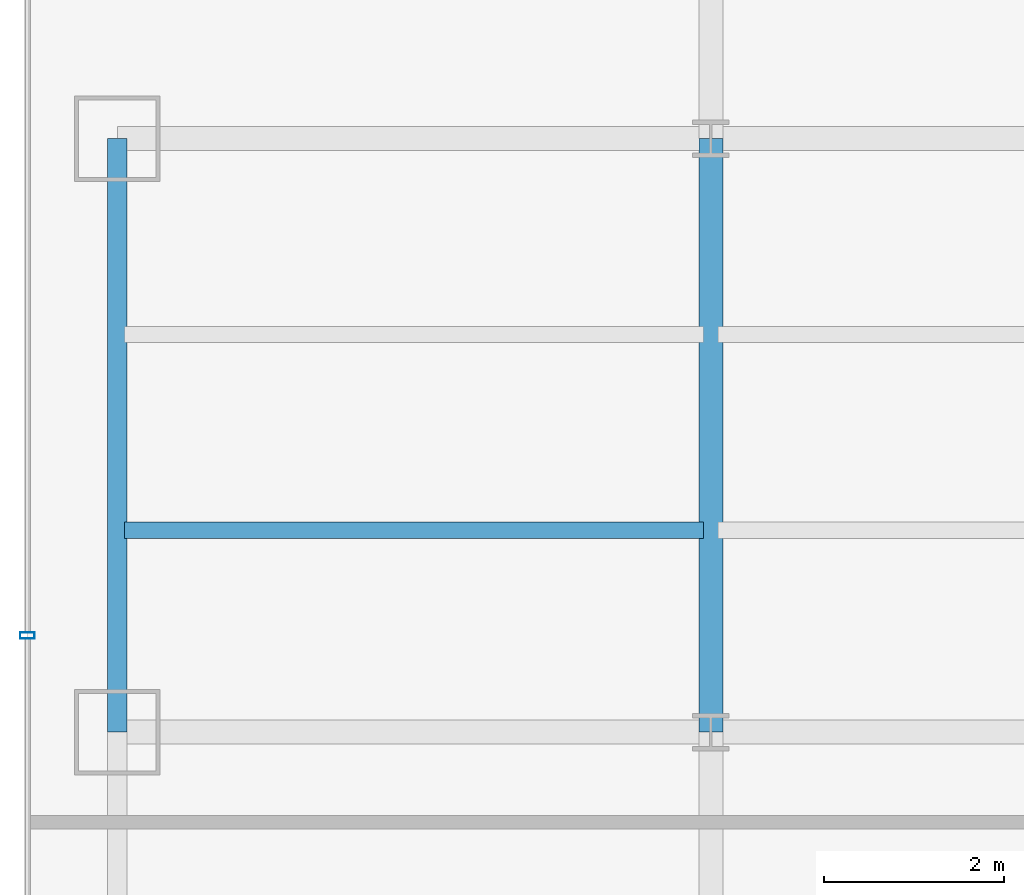
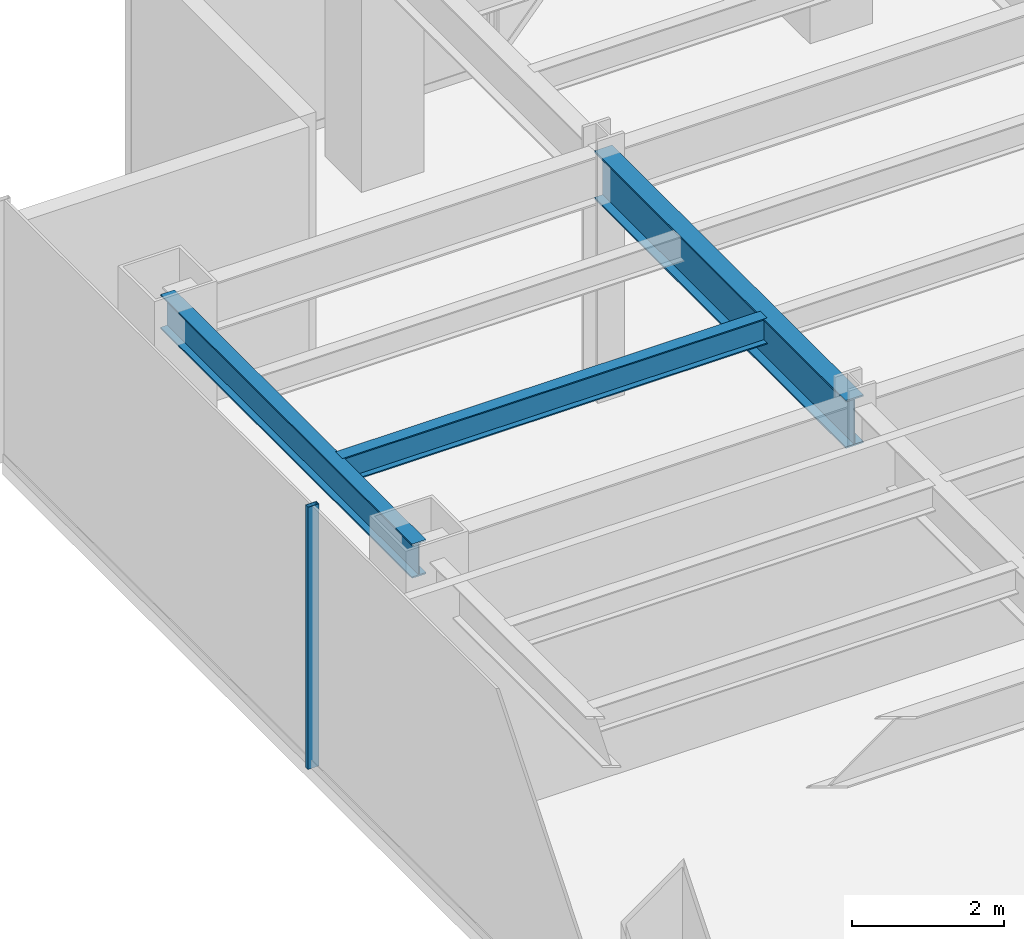
# One storey, part 6 of 35: 3 beams, 1 member, 1 element without a shape of its own.
"""IFC4 building model written with IfcOpenShell, lengths in metres."""

from ifc_helpers import new_model, si_unit, derived_unit, direction, frame, origin, origin_2d, place, context, subcontext, project, spatial, hollow_rectangle, i_section, extrude, source, transform, mapped, material, material_profile, profile_set, type_object, element, aggregate, save


model = new_model("IFC4")

# Units and contexts
model_context = context("Model", 3, precision=1e-05, world=origin(), true_north=direction((0.0, 1.0)))
body_context = subcontext(model_context, "Body", "Model", "MODEL_VIEW")
ifc_project = project(units=[si_unit("LENGTHUNIT", "METRE"), si_unit("AREAUNIT", "SQUARE_METRE"), si_unit("VOLUMEUNIT", "CUBIC_METRE"), si_unit("PLANEANGLEUNIT", "RADIAN"), si_unit("MASSUNIT", "GRAM", prefix="KILO"), derived_unit("THERMALTRANSMITTANCEUNIT", [(si_unit("POWERUNIT", "WATT"), 1), (si_unit("LENGTHUNIT", "METRE"), -2), (si_unit("THERMODYNAMICTEMPERATUREUNIT", "KELVIN"), -1)])], contexts=[model_context])

# Site, building, storey
site_placement = place(None, origin())
site = spatial("IfcSite", under=ifc_project, at=site_placement, CompositionType="ELEMENT")
building_placement = place(site_placement, origin())
building = spatial("IfcBuilding", under=site, at=building_placement, Name="Skarnbrae Concourse Arena and Tower", CompositionType="ELEMENT")
storey_placement = place(building_placement, frame((0.0, 0.0, 79.949951171875)))
storey = spatial("IfcBuildingStorey", under=building, at=storey_placement, Name="L19", CompositionType="ELEMENT", Elevation=79.949951171875)

# Beams
ifc_material_1 = material(Name="Steel CSA G40.21 350W", Category="steel")
ifc_material_profile_1 = material_profile(ifc_material_1, i_section(OverallWidth=0.214111328125, OverallDepth=0.549072265625, WebThickness=0.0146484375, FlangeThickness=0.023681640625, at=origin_2d()), Name="W530X138")
ifc_profile_set_1 = profile_set([ifc_material_profile_1], Name="Steel CSA G40.21 350W")
beam_type_1 = type_object("IfcBeamType", Name="BM-SPAN-W530X138", PredefinedType="SPANDREL", material=ifc_profile_set_1)
shared_shape_1 = source(origin(), body_context, "Body", "SweptSolid", [
    extrude(i_section(OverallWidth=0.214111328125, OverallDepth=0.549072265625, WebThickness=0.0146484375, FlangeThickness=0.023681640625, at=origin_2d()), origin(), (0.0, 0.0, 1.0), 6.599853515625),
])
beam_1_placement = place(storey_placement, frame((1.0, 27.800048828125, 3.62548828125), z_axis=(0.0, 1.0, 0.0), x_axis=(-1.0, 0.0, 0.0)))
element("IfcBeam", 1, at=beam_1_placement, inside=storey, type_object=beam_type_1, Name="L19 Perimeter spandrel X1.0-4", PredefinedType="SPANDREL", context=body_context, shape_type="MappedRepresentation", body=[
    mapped(shared_shape_1, transform((0.0, 0.0, 0.0))),
])
ifc_material_profile_2 = material_profile(ifc_material_1, i_section(OverallWidth=0.26806640625, OverallDepth=0.77001953125, WebThickness=0.015625, FlangeThickness=0.025390625, at=origin_2d()), Name="W760X196")
ifc_profile_set_2 = profile_set([ifc_material_profile_2], Name="Steel CSA G40.21 350W")
beam_type_2 = type_object("IfcBeamType", Name="BM-GIRD-W760X196", PredefinedType="BEAM", material=ifc_profile_set_2)
shared_shape_2 = source(origin(), body_context, "Body", "SweptSolid", [
    extrude(i_section(OverallWidth=0.26806640625, OverallDepth=0.77001953125, WebThickness=0.015625, FlangeThickness=0.025390625, at=origin_2d()), origin(), (0.0, 0.0, 1.0), 6.599853515625),
])
beam_2_placement = place(storey_placement, frame((7.60009765625, 27.800048828125, 3.51513671875), z_axis=(0.0, 1.0, 0.0), x_axis=(-1.0, 0.0, 0.0)))
element("IfcBeam", 2, at=beam_2_placement, inside=storey, type_object=beam_type_2, Name="L19 Primary N-S girder X7.6-3", PredefinedType="BEAM", context=body_context, shape_type="MappedRepresentation", body=[
    mapped(shared_shape_2, transform((0.0, 0.0, 0.0))),
])
ifc_material_profile_3 = material_profile(ifc_material_1, i_section(OverallWidth=0.180908203125, OverallDepth=0.4169921875, WebThickness=0.010986328125, FlangeThickness=0.018310546875, at=origin_2d()), Name="W410X85")
ifc_profile_set_3 = profile_set([ifc_material_profile_3], Name="Steel CSA G40.21 350W")
beam_type_3 = type_object("IfcBeamType", Name="BM-JOIST-W410X85", PredefinedType="JOIST", material=ifc_profile_set_3)
shared_shape_3 = source(origin(), body_context, "Body", "SweptSolid", [
    extrude(i_section(OverallWidth=0.180908203125, OverallDepth=0.4169921875, WebThickness=0.010986328125, FlangeThickness=0.018310546875, at=origin_2d()), origin(), (0.0, 0.0, 1.0), 6.43994140625),
])
beam_3_placement = place(storey_placement, frame((1.080078125, 30.0439453125, 3.691650390625), z_axis=(1.0, 0.0, 0.0), x_axis=(0.0, 1.0, 0.0)))
element("IfcBeam", 3, at=beam_3_placement, inside=storey, type_object=beam_type_3, Name="L19 Secondary floor joist 3.1.1", PredefinedType="JOIST", context=body_context, shape_type="MappedRepresentation", body=[
    mapped(shared_shape_3, transform((0.0, 0.0, 0.0))),
])

# Curtain wall, member
ifc_material_2 = material(Name="Bronze anodised aluminium 6063-T6", Category="aluminium")
curtain_wall_type = type_object("IfcCurtainWallType", Name="CW-SYS-06-SKYLOBBY", PredefinedType="USERDEFINED", material=ifc_material_2)
curtain_wall_placement = place(storey_placement, origin())
curtain_wall = element("IfcCurtainWall", 4, at=curtain_wall_placement, inside=storey, type_object=curtain_wall_type, Name="L19 Unitised curtain wall CW-L19-E19", ObjectType="UNITISED CURTAIN WALL", PredefinedType="USERDEFINED")
ifc_material_profile_4 = material_profile(ifc_material_2, hollow_rectangle(XDim=0.070068359375, YDim=0.1650390625, WallThickness=0.00390625, at=origin_2d()), Name="ALU-MULL-70X165")
ifc_profile_set_4 = profile_set([ifc_material_profile_4], Name="Bronze anodised aluminium 6063-T6")
member_type = type_object("IfcMemberType", Name="CWM-CW-06", PredefinedType="MULLION", material=ifc_profile_set_4)
shared_shape_4 = source(origin(), body_context, "Body", "SweptSolid", [
    extrude(hollow_rectangle(XDim=0.070068359375, YDim=0.1650390625, WallThickness=0.00390625, at=origin_2d()), origin(), (0.0, 0.0, 1.0), 4.199951171875),
])
member_placement = place(storey_placement, frame((0.0, 28.875, 0.0), z_axis=(0.0, 0.0, 1.0), x_axis=(0.0, -1.0, 0.0)))
member = element("IfcMember", 5, at=member_placement, type_object=member_type, Name="CW-L19-E19 Mullion 2", PredefinedType="MULLION", context=body_context, shape_type="MappedRepresentation", body=[
    mapped(shared_shape_4, transform((0.0, 0.0, 0.0))),
])
aggregate(curtain_wall, [member])

save(model, "model.ifc")
